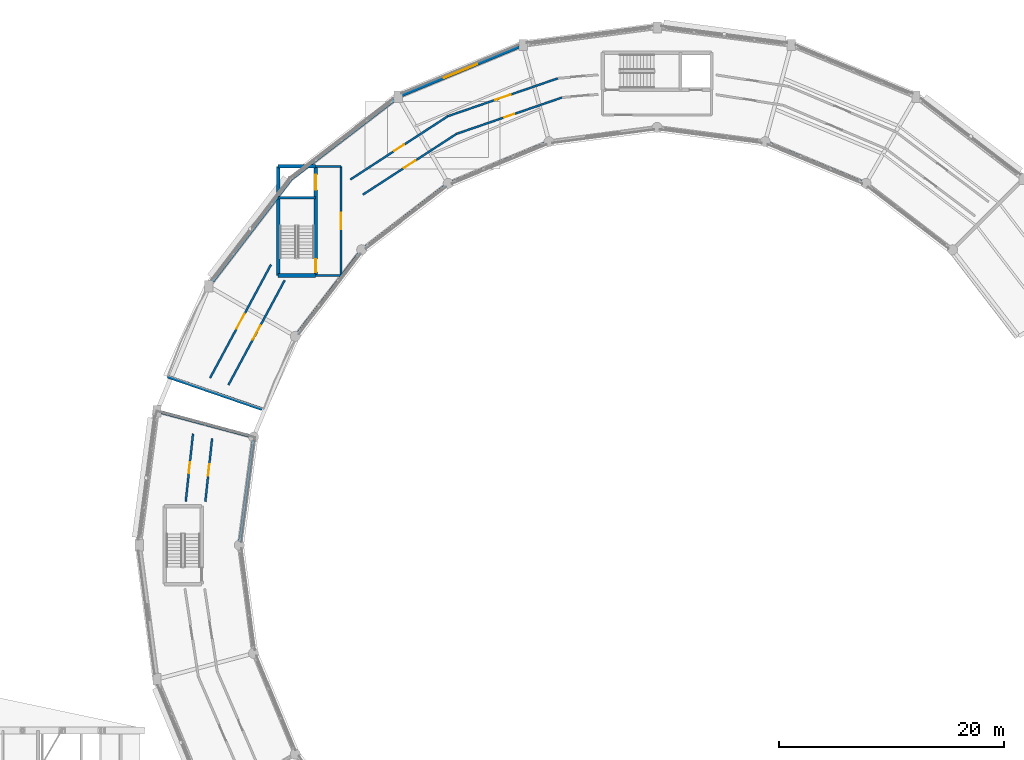
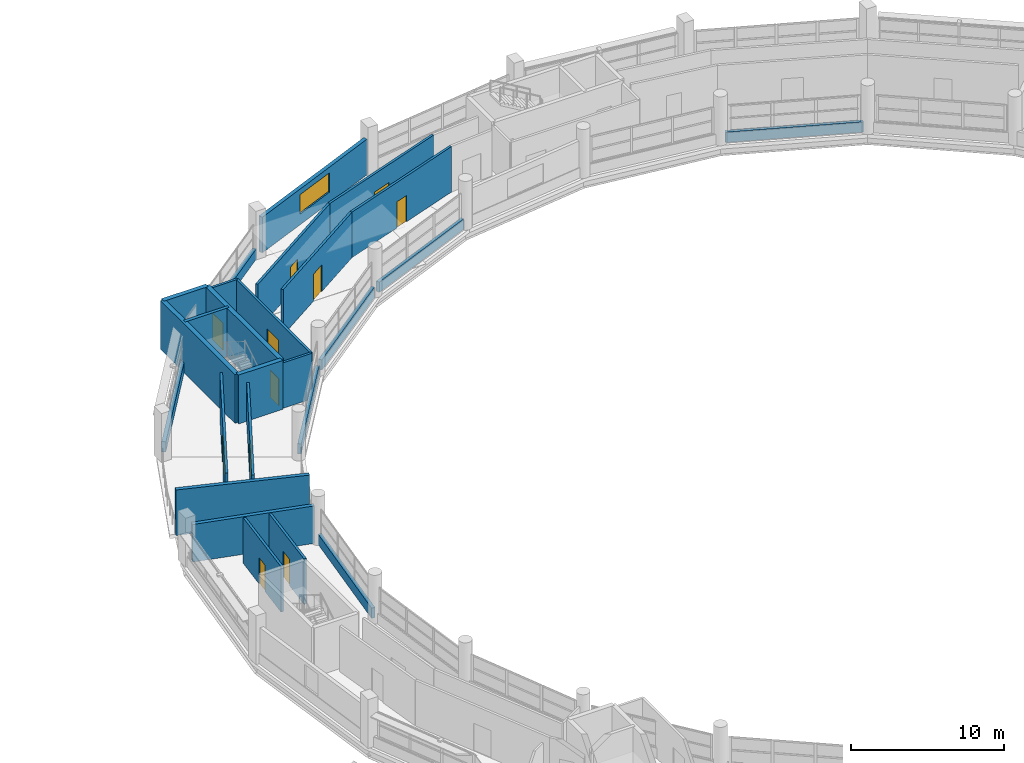
# One storey, part 77 of 88: 26 walls, 11 doors, 1 window, 12 openings.
"""IFC4 building model written with IfcOpenShell, lengths in metres."""

import ifcopenshell
import ifcopenshell.guid

model = None  # the IFC model being written
_history = None  # IfcOwnerHistory: only IFC2X3 demands one
_inside = {}  # id of a spatial element -> (the spatial element, [elements in it])
_under = {}  # id of a project, library or spatial element -> (it, [spatial elements below it])
_declared = {}  # id of a project -> (the project, [libraries it declares])
_typed = {}  # id of a type object -> (the type object, [elements of that type])
_made_of = {}  # id of a material, layer set ... -> (it, [elements and type objects made of it])


def new_model(schema):
    """Start an empty IFC model of exactly this schema.

    Asked for "IFC4X3", IfcOpenShell would pick the latest addendum, in which some entities
    have other attributes; the version numbers below select the first issue.
    IFC2X3 requires an IfcOwnerHistory on every rooted entity: one is made here for all.
    """
    global model, _history
    if schema == "IFC4X3":
        model = ifcopenshell.file(schema_version=(4, 3, 0, 0))
    else:
        model = ifcopenshell.file(schema=schema)
    _inside.clear()
    _under.clear()
    _declared.clear()
    _typed.clear()
    _made_of.clear()
    _history = None
    if model.schema == "IFC2X3":
        org = make("IfcOrganization", Name="unknown")
        user = make(
            "IfcPersonAndOrganization",
            ThePerson=make("IfcPerson", FamilyName="unknown"),
            TheOrganization=org,
        )
        app = make(
            "IfcApplication",
            ApplicationDeveloper=org,
            Version="unknown",
            ApplicationFullName="unknown",
            ApplicationIdentifier="unknown",
        )
        _history = make(
            "IfcOwnerHistory",
            OwningUser=user,
            OwningApplication=app,
            ChangeAction="ADDED",
            CreationDate=0,
        )
    return model


def make(cls, **values):
    """One entity of the class cls with the attributes given. An attribute that is None is left unset."""
    return model.create_entity(
        cls, **{name: value for name, value in values.items() if value is not None}
    )


def rooted(cls, **values):
    """An entity with a GlobalId (a new one), such as an element, a storey or a relation."""
    return make(cls, GlobalId=ifcopenshell.guid.new(), OwnerHistory=_history, **values)


def si_unit(unit_type, name, prefix=None):
    """IfcSIUnit, for example si_unit("LENGTHUNIT", "METRE", prefix="MILLI")."""
    return make("IfcSIUnit", UnitType=unit_type, Prefix=prefix, Name=name)


def assignment(units):
    """IfcUnitAssignment: the units of a project."""
    return None if units is None else make("IfcUnitAssignment", Units=units)


def point(xyz):
    """IfcCartesianPoint."""
    return None if xyz is None else make("IfcCartesianPoint", Coordinates=xyz)


def direction(xyz):
    """IfcDirection."""
    return None if xyz is None else make("IfcDirection", DirectionRatios=xyz)


def frame(location, z_axis=None, x_axis=None):
    """IfcAxis2Placement3D, a coordinate frame: its origin and axes. An axis left out is left unset."""
    return make(
        "IfcAxis2Placement3D",
        Location=point(location),
        Axis=direction(z_axis),
        RefDirection=direction(x_axis),
    )


def frame_2d(location, x_axis=None):
    """IfcAxis2Placement2D, a coordinate frame in the plane: its origin and x axis."""
    return make(
        "IfcAxis2Placement2D", Location=point(location), RefDirection=direction(x_axis)
    )


def origin():
    """The frame at (0, 0, 0) with its axes left unset."""
    return frame((0.0, 0.0, 0.0))


def place(relative_to, where):
    """IfcLocalPlacement: puts the frame where relative to a parent placement (None: the world)."""
    return make(
        "IfcLocalPlacement", PlacementRelTo=relative_to, RelativePlacement=where
    )


def context(
    kind, dimensions, precision=None, world=None, true_north=None, identifier=None
):
    """IfcGeometricRepresentationContext, for example the 3D "Model" context."""
    return make(
        "IfcGeometricRepresentationContext",
        ContextIdentifier=identifier,
        ContextType=kind,
        CoordinateSpaceDimension=dimensions,
        Precision=precision,
        WorldCoordinateSystem=world,
        TrueNorth=true_north,
    )


def subcontext(parent, identifier, kind, view, scale=None):
    """IfcGeometricRepresentationSubContext, for example "Body" below "Model"."""
    return make(
        "IfcGeometricRepresentationSubContext",
        ContextIdentifier=identifier,
        ContextType=kind,
        ParentContext=parent,
        TargetScale=scale,
        TargetView=view,
    )


def project(units=None, contexts=None):
    """IfcProject with its units and contexts."""
    return rooted(
        "IfcProject",
        Name="project",
        RepresentationContexts=contexts,
        UnitsInContext=assignment(units),
    )


def spatial(cls, under=None, at=None, **own):
    """A site, building, storey or space (cls), placed at a placement, below another one or the project."""
    s = rooted(cls, ObjectPlacement=at, **own)
    if under is not None:
        _under.setdefault(under.id(), (under, []))[1].append(s)
    return s


def profile(cls, at=None, kind="AREA", **sizes):
    """A parametric profile (cls). Its sizes go by their IFC names, for example OverallWidth=200.0."""
    return make(cls, ProfileType=kind, Position=at, **sizes)


def rectangle(**sizes):
    """IfcRectangleProfileDef."""
    return profile("IfcRectangleProfileDef", **sizes)


def extrude(swept, where, along, depth):
    """IfcExtrudedAreaSolid: the profile swept, set in the frame where, extruded along a direction by depth."""
    return make(
        "IfcExtrudedAreaSolid",
        SweptArea=swept,
        Position=where,
        ExtrudedDirection=direction(along),
        Depth=depth,
    )


def shape(context_of_items, identifier, shape_type, items):
    """IfcShapeRepresentation: the items that make up one representation, for example the "Body"."""
    return make(
        "IfcShapeRepresentation",
        ContextOfItems=context_of_items,
        RepresentationIdentifier=identifier,
        RepresentationType=shape_type,
        Items=items,
    )


def material(Name=None, Category=None):
    """IfcMaterial."""
    return make("IfcMaterial", Name=Name, Category=Category)


def layer(
    of_material, thickness, ventilated=None, Name=None, Category=None, Priority=None
):
    """IfcMaterialLayer: one layer of a wall or slab, of a material (None: an air gap)."""
    return make(
        "IfcMaterialLayer",
        Material=of_material,
        LayerThickness=thickness,
        IsVentilated=ventilated,
        Name=Name,
        Category=Category,
        Priority=Priority,
    )


def layer_set(layers, Name=None):
    """IfcMaterialLayerSet."""
    return make("IfcMaterialLayerSet", MaterialLayers=layers, LayerSetName=Name)


def made_of(thing, what):
    """Note that an element or type object is made of a material, layer set ...; save() writes the relation."""
    if what is not None:
        _made_of.setdefault(what.id(), (what, []))[1].append(thing)
    return thing


def type_object(cls, material=None, **own):
    """A type object (cls), such as IfcWallType, which elements share."""
    return made_of(rooted(cls, **own), material)


def element(
    cls,
    number,
    at=None,
    inside=None,
    cuts=None,
    type_object=None,
    material=None,
    context=None,
    identifier="Body",
    shape_type=None,
    held_by="IfcProductDefinitionShape",
    body=None,
    shapes=None,
    **own,
):
    """One element of the class cls, such as IfcWall. Its Tag is "e" and its number.

    at: its placement. inside: the storey or other place that contains it. cuts: it is an
    opening in that element (IfcRelVoidsElement). A single representation is given by context,
    identifier, shape_type and body (its items); several are given by shapes. held_by: the class
    of the entity that holds the representations. save() writes the other relations.
    """
    e = rooted(cls, Tag="e%d" % number, ObjectPlacement=at, **own)
    if body is not None:
        shapes = [shape(context, identifier, shape_type, body)]
    if shapes is not None:
        e.Representation = make(held_by, Representations=shapes)
    if inside is not None:
        _inside.setdefault(inside.id(), (inside, []))[1].append(e)
    if cuts is not None:
        rooted(
            "IfcRelVoidsElement", RelatingBuildingElement=cuts, RelatedOpeningElement=e
        )
    if type_object is not None:
        _typed.setdefault(type_object.id(), (type_object, []))[1].append(e)
    return made_of(e, material)


def fill(opening, filler):
    """IfcRelFillsElement: the door or window that sits in an opening."""
    return rooted(
        "IfcRelFillsElement",
        RelatingOpeningElement=opening,
        RelatedBuildingElement=filler,
    )


def aggregate(whole, parts):
    """IfcRelAggregates: a whole, such as a stair, and the parts it consists of."""
    return rooted("IfcRelAggregates", RelatingObject=whole, RelatedObjects=parts)


def save(model, path):
    """Write the relations noted so far, then the file.

    IfcRelAggregates (storeys below a building ...), IfcRelContainedInSpatialStructure (elements
    in a storey), IfcRelDefinesByType, IfcRelAssociatesMaterial and IfcRelDeclares: one each for
    every whole, place, type object, material and project.
    """
    for whole, parts in _under.values():
        aggregate(whole, parts)
    for where, things in _inside.values():
        rooted(
            "IfcRelContainedInSpatialStructure",
            RelatedElements=things,
            RelatingStructure=where,
        )
    for kind, things in _typed.values():
        rooted("IfcRelDefinesByType", RelatedObjects=things, RelatingType=kind)
    for what, things in _made_of.values():
        rooted("IfcRelAssociatesMaterial", RelatedObjects=things, RelatingMaterial=what)
    for by, libraries in _declared.values():
        rooted("IfcRelDeclares", RelatingContext=by, RelatedDefinitions=libraries)
    model.write(path)


model = new_model("IFC4")

# Units and contexts
model_context = context("Model", 3, precision=1e-05, world=origin(), true_north=direction((0.0, 1.0)))
body_context = subcontext(model_context, "Body", "Model", "MODEL_VIEW")
ifc_project = project(units=[si_unit("LENGTHUNIT", "METRE"), si_unit("AREAUNIT", "SQUARE_METRE"), si_unit("VOLUMEUNIT", "CUBIC_METRE"), si_unit("PLANEANGLEUNIT", "RADIAN"), si_unit("MASSUNIT", "GRAM", prefix="KILO")], contexts=[model_context])

# Site, building, storey
site_placement = place(None, origin())
site = spatial("IfcSite", under=ifc_project, at=site_placement, CompositionType="ELEMENT")
building_placement = place(site_placement, origin())
building = spatial("IfcBuilding", under=site, at=building_placement, Name="Vespera Passage Community Centre", CompositionType="ELEMENT")
storey_placement = place(building_placement, frame((0.0, 0.0, 16.5)))
storey = spatial("IfcBuildingStorey", under=building, at=storey_placement, Name="L04", CompositionType="ELEMENT", Elevation=16.5)

# Wall, openings, doors
ifc_material_1 = material(Name="Concrete f'c 45 MPa", Category="concrete")
ifc_layer_1 = layer(ifc_material_1, 0.340087890625)
ifc_layer_set_1 = layer_set([ifc_layer_1], Name="Concrete f'c 45 MPa")
wall_type_1 = type_object("IfcWallType", Name="WT-CORE-340I", PredefinedType="SHEAR", material=ifc_layer_set_1)
wall_1_placement = place(storey_placement, frame((47.60302734375, 99.238037109375, 0.0), z_axis=(0.0, 0.0, 1.0), x_axis=(0.0, -1.0, 0.0)))
wall_1 = element("IfcWall", 1, at=wall_1_placement, inside=storey, type_object=wall_type_1, Name="Core C1 L04 Shear Wall FRONT", PredefinedType="SHEAR", context=body_context, shape_type="SweptSolid", body=[
    extrude(rectangle(XDim=9.72998046875, YDim=0.340087890625, at=frame_2d((4.864990234375, 0.0))), origin(), (0.0, 0.0, 1.0), 3.89990234375),
])
opening_1_placement = place(wall_1_placement, frame((8.264892578125, 0.0, 0.0)))
opening_1 = element("IfcOpeningElement", 2, at=opening_1_placement, cuts=wall_1, Name="Opening DT-STAIR-90", PredefinedType="OPENING", context=body_context, shape_type="SweptSolid", body=[
    extrude(rectangle(XDim=1.14990234375, YDim=2.14990234375, at=frame_2d((0.574951171875, 1.074951171875))), frame((0.0, 0.179931640625, 0.0), z_axis=(0.0, -1.0, 0.0), x_axis=(1.0, 0.0, 0.0)), (0.0, 0.0, 1.0), 0.360107421875),
])
opening_2_placement = place(wall_1_placement, frame((0.7451171875, 0.0, 0.0)))
opening_2 = element("IfcOpeningElement", 3, at=opening_2_placement, cuts=wall_1, Name="Opening DT-LIFT-135", PredefinedType="OPENING", context=body_context, shape_type="SweptSolid", body=[
    extrude(rectangle(XDim=1.35009765625, YDim=2.14990234375, at=frame_2d((0.675048828125, 1.074951171875))), frame((0.0, 0.179931640625, 0.0), z_axis=(0.0, -1.0, 0.0), x_axis=(1.0, 0.0, 0.0)), (0.0, 0.0, 1.0), 0.360107421875),
])
ifc_material_2 = material(Name="Painted hollow-metal acoustic door", Category="steel")
door_type_1 = type_object("IfcDoorType", Name="DT-LIFT-135", OperationType="NOTDEFINED", PredefinedType="DOOR", material=ifc_material_2)
door_1_placement = place(opening_2_placement, origin())
door_1 = element("IfcDoor", 4, at=door_1_placement, inside=storey, type_object=door_type_1, Name="Elevator EL-03 L04 Landing Door LD-006", OperationType="SLIDING_TO_LEFT", OverallHeight=2.14990234375, OverallWidth=1.35009765625, PredefinedType="DOOR", context=body_context, shape_type="SweptSolid", body=[
    extrude(rectangle(XDim=1.35009765625, YDim=2.14990234375, at=frame_2d((0.675048828125, 1.074951171875))), frame((0.0, 0.02490234375, 0.0), z_axis=(0.0, -1.0, 0.0), x_axis=(1.0, 0.0, 0.0)), (0.0, 0.0, 1.0), 0.050048828125),
])
fill(opening_2, door_1)
ifc_material_3 = material(Name="Painted hollow-metal acoustic door", Category="steel")
door_type_2 = type_object("IfcDoorType", Name="DT-STAIR-90", OperationType="NOTDEFINED", PredefinedType="DOOR", material=ifc_material_3)
door_2_placement = place(opening_1_placement, origin())
door_2 = element("IfcDoor", 5, at=door_2_placement, inside=storey, type_object=door_type_2, Name="Core C1 L04 Exit Stair Door D-058", OperationType="SINGLE_SWING_RIGHT", OverallHeight=2.14990234375, OverallWidth=1.14990234375, PredefinedType="DOOR", context=body_context, shape_type="SweptSolid", body=[
    extrude(rectangle(XDim=1.14990234375, YDim=2.14990234375, at=frame_2d((0.574951171875, 1.074951171875))), frame((0.0, 0.02490234375, 0.0), z_axis=(0.0, -1.0, 0.0), x_axis=(1.0, 0.0, 0.0)), (0.0, 0.0, 1.0), 0.050048828125),
])
fill(opening_1, door_2)

# Walls
wall_2_placement = place(storey_placement, frame((47.60302734375, 89.508056640625, 0.0), z_axis=(0.0, 0.0, 1.0), x_axis=(-1.0, 0.0, 0.0)))
element("IfcWall", 6, at=wall_2_placement, inside=storey, type_object=wall_type_1, Name="Core C1 L04 Shear Wall LEFT", PredefinedType="SHEAR", context=body_context, shape_type="SweptSolid", body=[
    extrude(rectangle(XDim=3.340087890625, YDim=0.340087890625, at=frame_2d((1.669921875, 0.0))), origin(), (0.0, 0.0, 1.0), 3.89990234375),
])
wall_3_placement = place(storey_placement, frame((44.262939453125, 89.508056640625, 0.0), z_axis=(0.0, 0.0, 1.0), x_axis=(0.0, 1.0, 0.0)))
element("IfcWall", 7, at=wall_3_placement, inside=storey, type_object=wall_type_1, Name="Core C1 L04 Shear Wall BACK", PredefinedType="SHEAR", context=body_context, shape_type="SweptSolid", body=[
    extrude(rectangle(XDim=9.72998046875, YDim=0.340087890625, at=frame_2d((4.864990234375, 0.0))), origin(), (0.0, 0.0, 1.0), 3.89990234375),
])
wall_4_placement = place(storey_placement, frame((44.262939453125, 99.238037109375, 0.0), z_axis=(0.0, 0.0, 1.0), x_axis=(1.0, 0.0, 0.0)))
element("IfcWall", 8, at=wall_4_placement, inside=storey, type_object=wall_type_1, Name="Core C1 L04 Shear Wall RIGHT", PredefinedType="SHEAR", context=body_context, shape_type="SweptSolid", body=[
    extrude(rectangle(XDim=3.340087890625, YDim=0.340087890625, at=frame_2d((1.669921875, 0.0))), origin(), (0.0, 0.0, 1.0), 3.89990234375),
])

# Wall, opening, door
ifc_material_4 = material(Name="Gypsum board acoustic stud partition")
ifc_layer_2 = layer(ifc_material_4, 0.179931640625)
ifc_layer_set_2 = layer_set([ifc_layer_2], Name="Gypsum board acoustic stud partition")
wall_type_2 = type_object("IfcWallType", Name="WT-CORR-180I", PredefinedType="PARTITIONING", material=ifc_layer_set_2)
wall_5_placement = place(storey_placement, frame((49.85302734375, 89.508056640625, 0.0), z_axis=(0.0, 0.0, 1.0), x_axis=(0.0, 1.0, 0.0)))
wall_5 = element("IfcWall", 9, at=wall_5_placement, inside=storey, type_object=wall_type_2, Name="Core C1 L04 Lift Lobby Front Wall", PredefinedType="PARTITIONING", context=body_context, shape_type="SweptSolid", body=[
    extrude(rectangle(XDim=9.72998046875, YDim=0.179931640625, at=frame_2d((4.864990234375, 0.0))), origin(), (0.0, 0.0, 1.0), 3.635009765625),
])
opening_3_placement = place(wall_5_placement, frame((4.114990234375, 0.0, 0.0)))
opening_3 = element("IfcOpeningElement", 10, at=opening_3_placement, cuts=wall_5, Name="Opening DT-CORR-150", PredefinedType="OPENING", context=body_context, shape_type="SweptSolid", body=[
    extrude(rectangle(XDim=1.5, YDim=2.14990234375, at=frame_2d((0.75, 1.074951171875))), frame((0.0, 0.099853515625, 0.0), z_axis=(0.0, -1.0, 0.0), x_axis=(1.0, 0.0, 0.0)), (0.0, 0.0, 1.0), 0.199951171875),
])
ifc_material_5 = material(Name="Painted hollow-metal acoustic door", Category="steel")
door_type_3 = type_object("IfcDoorType", Name="DT-CORR-150", OperationType="NOTDEFINED", PredefinedType="DOOR", material=ifc_material_5)
door_3_placement = place(opening_3_placement, origin())
door_3 = element("IfcDoor", 11, at=door_3_placement, inside=storey, type_object=door_type_3, Name="Core C1 L04 Lift Lobby Door D-059", OperationType="SINGLE_SWING_LEFT", OverallHeight=2.14990234375, OverallWidth=1.5, PredefinedType="DOOR", context=body_context, shape_type="SweptSolid", body=[
    extrude(rectangle(XDim=1.5, YDim=2.14990234375, at=frame_2d((0.75, 1.074951171875))), frame((0.0, 0.02490234375, 0.0), z_axis=(0.0, -1.0, 0.0), x_axis=(1.0, 0.0, 0.0)), (0.0, 0.0, 1.0), 0.050048828125),
])
fill(opening_3, door_3)

# Walls
for number, where, z_axis, x_axis, name in (
    (12, (47.60302734375, 89.508056640625, 0.0), (0.0, 0.0, 1.0), (1.0, 0.0, 0.0), "Core C1 L04 Lift Lobby Side Wall L"),
    (13, (47.60302734375, 99.238037109375, 0.0), (0.0, 0.0, 1.0), (1.0, 0.0, 0.0), "Core C1 L04 Lift Lobby Side Wall R"),
):
    element("IfcWall", number, at=place(storey_placement, frame(where, z_axis=z_axis, x_axis=x_axis)), inside=storey, type_object=wall_type_2, Name=name, PredefinedType="PARTITIONING", context=body_context, shape_type="SweptSolid", body=[
        extrude(rectangle(XDim=2.25, YDim=0.179931640625, at=frame_2d((1.125, 0.0))), origin(), (0.0, 0.0, 1.0), 3.635009765625),
    ])

# Wall, opening, door
wall_6_placement = place(storey_placement, frame((69.163818359375, 107.0712890625, 0.0), z_axis=(0.0, 0.0, 1.0), x_axis=(-0.945519152491, -0.325566479038, 0.0)))
wall_6 = element("IfcWall", 14, at=wall_6_placement, inside=storey, type_object=wall_type_2, Name="L04 Interior Partition V4-L04-CO05.1", PredefinedType="PARTITIONING", context=body_context, shape_type="SweptSolid", body=[
    extrude(rectangle(XDim=10.359130859375, YDim=0.179931640625, at=frame_2d((5.1796875, 0.0))), origin(), (0.0, 0.0, 1.0), 3.635009765625),
])
opening_4_placement = place(wall_6_placement, frame((4.45458984375, 0.0, 0.0)))
opening_4 = element("IfcOpeningElement", 15, at=opening_4_placement, cuts=wall_6, Name="Opening DT-PLANT-145", PredefinedType="OPENING", context=body_context, shape_type="SweptSolid", body=[
    extrude(rectangle(XDim=1.449951171875, YDim=2.199951171875, at=frame_2d((0.72509765625, 1.10009765625))), frame((0.0, 0.099853515625, 0.0), z_axis=(0.0, -1.0, 0.0), x_axis=(1.0, 0.0, 0.0)), (0.0, 0.0, 1.0), 0.199951171875),
])
ifc_material_6 = material(Name="Painted hollow-metal acoustic door", Category="steel")
door_type_4 = type_object("IfcDoorType", Name="DT-PLANT-145", OperationType="NOTDEFINED", PredefinedType="DOOR", material=ifc_material_6)
door_4_placement = place(opening_4_placement, origin())
door_4 = element("IfcDoor", 16, at=door_4_placement, inside=storey, type_object=door_type_4, Name="L04 Interior Door D-271", OperationType="SINGLE_SWING_LEFT", OverallHeight=2.199951171875, OverallWidth=1.449951171875, PredefinedType="DOOR", context=body_context, shape_type="SweptSolid", body=[
    extrude(rectangle(XDim=1.449951171875, YDim=2.199951171875, at=frame_2d((0.72509765625, 1.10009765625))), frame((0.0, 0.02490234375, 0.0), z_axis=(0.0, -1.0, 0.0), x_axis=(1.0, 0.0, 0.0)), (0.0, 0.0, 1.0), 0.050048828125),
])
fill(opening_4, door_4)

wall_7_placement = place(storey_placement, frame((69.527587890625, 105.359619140625, 0.0), z_axis=(0.0, 0.0, 1.0), x_axis=(-0.945517864124, -0.325570220723, 0.0)))
wall_7 = element("IfcWall", 17, at=wall_7_placement, inside=storey, type_object=wall_type_2, Name="L04 Interior Partition V4-L04-CI05.1", PredefinedType="PARTITIONING", context=body_context, shape_type="SweptSolid", body=[
    extrude(rectangle(XDim=9.93212890625, YDim=0.179931640625, at=frame_2d((4.966064453125, 0.0))), origin(), (0.0, 0.0, 1.0), 3.635009765625),
])
opening_5_placement = place(wall_7_placement, frame((4.4912109375, 0.0, 0.0)))
opening_5 = element("IfcOpeningElement", 18, at=opening_5_placement, cuts=wall_7, Name="Opening DT-CORR-95", PredefinedType="OPENING", context=body_context, shape_type="SweptSolid", body=[
    extrude(rectangle(XDim=0.949951171875, YDim=2.10009765625, at=frame_2d((0.47509765625, 1.050048828125))), frame((0.0, 0.099853515625, 0.0), z_axis=(0.0, -1.0, 0.0), x_axis=(1.0, 0.0, 0.0)), (0.0, 0.0, 1.0), 0.199951171875),
])
ifc_material_7 = material(Name="Painted hollow-metal acoustic door", Category="steel")
door_type_5 = type_object("IfcDoorType", Name="DT-CORR-95", OperationType="NOTDEFINED", PredefinedType="DOOR", material=ifc_material_7)
door_5_placement = place(opening_5_placement, origin())
door_5 = element("IfcDoor", 19, at=door_5_placement, inside=storey, type_object=door_type_5, Name="L04 Interior Door D-272", OperationType="SINGLE_SWING_RIGHT", OverallHeight=2.10009765625, OverallWidth=0.949951171875, PredefinedType="DOOR", context=body_context, shape_type="SweptSolid", body=[
    extrude(rectangle(XDim=0.949951171875, YDim=2.10009765625, at=frame_2d((0.47509765625, 1.050048828125))), frame((0.0, 0.02490234375, 0.0), z_axis=(0.0, -1.0, 0.0), x_axis=(1.0, 0.0, 0.0)), (0.0, 0.0, 1.0), 0.050048828125),
])
fill(opening_5, door_5)

wall_8_placement = place(storey_placement, frame((59.369140625, 103.69873046875, 0.0), z_axis=(0.0, 0.0, 1.0), x_axis=(-0.838672389469, -0.544636230104, 0.0)))
wall_8 = element("IfcWall", 20, at=wall_8_placement, inside=storey, type_object=wall_type_2, Name="L04 Interior Partition V4-L04-CO06.1", PredefinedType="PARTITIONING", context=body_context, shape_type="SweptSolid", body=[
    extrude(rectangle(XDim=10.35888671875, YDim=0.179931640625, at=frame_2d((5.179443359375, 0.0))), origin(), (0.0, 0.0, 1.0), 3.635009765625),
])
opening_6_placement = place(wall_8_placement, frame((4.654296875, 0.0, 0.0)))
opening_6 = element("IfcOpeningElement", 21, at=opening_6_placement, cuts=wall_8, Name="Opening DT-CORR-105", PredefinedType="OPENING", context=body_context, shape_type="SweptSolid", body=[
    extrude(rectangle(XDim=1.050048828125, YDim=2.10009765625, at=frame_2d((0.52490234375, 1.050048828125))), frame((0.0, 0.099853515625, 0.0), z_axis=(0.0, -1.0, 0.0), x_axis=(1.0, 0.0, 0.0)), (0.0, 0.0, 1.0), 0.199951171875),
])
ifc_material_8 = material(Name="Painted hollow-metal acoustic door", Category="steel")
door_type_6 = type_object("IfcDoorType", Name="DT-CORR-105", OperationType="NOTDEFINED", PredefinedType="DOOR", material=ifc_material_8)
door_6_placement = place(opening_6_placement, origin())
door_6 = element("IfcDoor", 22, at=door_6_placement, inside=storey, type_object=door_type_6, Name="L04 Interior Door D-273", OperationType="SINGLE_SWING_LEFT", OverallHeight=2.10009765625, OverallWidth=1.050048828125, PredefinedType="DOOR", context=body_context, shape_type="SweptSolid", body=[
    extrude(rectangle(XDim=1.050048828125, YDim=2.10009765625, at=frame_2d((0.52490234375, 1.050048828125))), frame((0.0, 0.02490234375, 0.0), z_axis=(0.0, -1.0, 0.0), x_axis=(1.0, 0.0, 0.0)), (0.0, 0.0, 1.0), 0.050048828125),
])
fill(opening_6, door_6)

wall_9_placement = place(storey_placement, frame((60.136474609375, 102.1259765625, 0.0), z_axis=(0.0, 0.0, 1.0), x_axis=(-0.838668177387, -0.544642716135, 0.0)))
wall_9 = element("IfcWall", 23, at=wall_9_placement, inside=storey, type_object=wall_type_2, Name="L04 Interior Partition V4-L04-CI06.1", PredefinedType="PARTITIONING", context=body_context, shape_type="SweptSolid", body=[
    extrude(rectangle(XDim=9.9326171875, YDim=0.179931640625, at=frame_2d((4.96630859375, 0.0))), origin(), (0.0, 0.0, 1.0), 3.635009765625),
])
opening_7_placement = place(wall_9_placement, frame((4.3662109375, 0.0, 0.0)))
opening_7 = element("IfcOpeningElement", 24, at=opening_7_placement, cuts=wall_9, Name="Opening DT-CORR-120", PredefinedType="OPENING", context=body_context, shape_type="SweptSolid", body=[
    extrude(rectangle(XDim=1.199951171875, YDim=2.14990234375, at=frame_2d((0.60009765625, 1.074951171875))), frame((0.0, 0.099853515625, 0.0), z_axis=(0.0, -1.0, 0.0), x_axis=(1.0, 0.0, 0.0)), (0.0, 0.0, 1.0), 0.199951171875),
])
ifc_material_9 = material(Name="Painted hollow-metal acoustic door", Category="steel")
door_type_7 = type_object("IfcDoorType", Name="DT-CORR-120", OperationType="NOTDEFINED", PredefinedType="DOOR", material=ifc_material_9)
door_7_placement = place(opening_7_placement, origin())
door_7 = element("IfcDoor", 25, at=door_7_placement, inside=storey, type_object=door_type_7, Name="L04 Interior Door D-274", OperationType="SINGLE_SWING_RIGHT", OverallHeight=2.14990234375, OverallWidth=1.199951171875, PredefinedType="DOOR", context=body_context, shape_type="SweptSolid", body=[
    extrude(rectangle(XDim=1.199951171875, YDim=2.14990234375, at=frame_2d((0.60009765625, 1.074951171875))), frame((0.0, 0.02490234375, 0.0), z_axis=(0.0, -1.0, 0.0), x_axis=(1.0, 0.0, 0.0)), (0.0, 0.0, 1.0), 0.050048828125),
])
fill(opening_7, door_7)

wall_10_placement = place(storey_placement, frame((43.61669921875, 90.48095703125, 0.0), z_axis=(0.0, 0.0, 1.0), x_axis=(-0.473312147023, -0.880894778893, 0.0)))
wall_10 = element("IfcWall", 26, at=wall_10_placement, inside=storey, type_object=wall_type_2, Name="L04 Interior Partition V4-L04-CO07.1", PredefinedType="PARTITIONING", context=body_context, shape_type="SweptSolid", body=[
    extrude(rectangle(XDim=11.46240234375, YDim=0.179931640625, at=frame_2d((5.731201171875, 0.0))), origin(), (0.0, 0.0, 1.0), 3.635009765625),
])
opening_8_placement = place(wall_10_placement, frame((4.981201171875, 0.0, 0.0)))
opening_8 = element("IfcOpeningElement", 27, at=opening_8_placement, cuts=wall_10, Name="Opening DT-CORR-150", PredefinedType="OPENING", context=body_context, shape_type="SweptSolid", body=[
    extrude(rectangle(XDim=1.5, YDim=2.14990234375, at=frame_2d((0.75, 1.074951171875))), frame((0.0, 0.099853515625, 0.0), z_axis=(0.0, -1.0, 0.0), x_axis=(1.0, 0.0, 0.0)), (0.0, 0.0, 1.0), 0.199951171875),
])
door_8_placement = place(opening_8_placement, origin())
door_8 = element("IfcDoor", 28, at=door_8_placement, inside=storey, type_object=door_type_3, Name="L04 Interior Door D-275", OperationType="SINGLE_SWING_LEFT", OverallHeight=2.14990234375, OverallWidth=1.5, PredefinedType="DOOR", context=body_context, shape_type="SweptSolid", body=[
    extrude(rectangle(XDim=1.5, YDim=2.14990234375, at=frame_2d((0.75, 1.074951171875))), frame((0.0, 0.02490234375, 0.0), z_axis=(0.0, -1.0, 0.0), x_axis=(1.0, 0.0, 0.0)), (0.0, 0.0, 1.0), 0.050048828125),
])
fill(opening_8, door_8)

wall_11_placement = place(storey_placement, frame((44.8369140625, 89.087890625, 0.0), z_axis=(0.0, 0.0, 1.0), x_axis=(-0.47333431402, -0.88088286802, 0.0)))
wall_11 = element("IfcWall", 29, at=wall_11_placement, inside=storey, type_object=wall_type_2, Name="L04 Interior Partition V4-L04-CI07.1", PredefinedType="PARTITIONING", context=body_context, shape_type="SweptSolid", body=[
    extrude(rectangle(XDim=10.57666015625, YDim=0.179931640625, at=frame_2d((5.288330078125, 0.0))), origin(), (0.0, 0.0, 1.0), 3.2744140625),
])
opening_9_placement = place(wall_11_placement, frame((4.5634765625, 0.0, 0.0)))
opening_9 = element("IfcOpeningElement", 30, at=opening_9_placement, cuts=wall_11, Name="Opening DT-PLANT-145", PredefinedType="OPENING", context=body_context, shape_type="SweptSolid", body=[
    extrude(rectangle(XDim=1.449951171875, YDim=2.199951171875, at=frame_2d((0.72509765625, 1.10009765625))), frame((0.0, 0.099853515625, 0.0), z_axis=(0.0, -1.0, 0.0), x_axis=(1.0, 0.0, 0.0)), (0.0, 0.0, 1.0), 0.199951171875),
])
door_9_placement = place(opening_9_placement, origin())
door_9 = element("IfcDoor", 31, at=door_9_placement, inside=storey, type_object=door_type_4, Name="L04 Interior Door D-276", OperationType="SINGLE_SWING_RIGHT", OverallHeight=2.199951171875, OverallWidth=1.449951171875, PredefinedType="DOOR", context=body_context, shape_type="SweptSolid", body=[
    extrude(rectangle(XDim=1.449951171875, YDim=2.199951171875, at=frame_2d((0.72509765625, 1.10009765625))), frame((0.0, 0.02490234375, 0.0), z_axis=(0.0, -1.0, 0.0), x_axis=(1.0, 0.0, 0.0)), (0.0, 0.0, 1.0), 0.050048828125),
])
fill(opening_9, door_9)

wall_12_placement = place(storey_placement, frame((36.67431640625, 75.42138671875, 0.0), z_axis=(0.0, 0.0, 1.0), x_axis=(-0.106711734721, -0.994290000791, 0.0)))
wall_12 = element("IfcWall", 32, at=wall_12_placement, inside=storey, type_object=wall_type_2, Name="L04 Interior Partition V4-L04-CO08.1", PredefinedType="PARTITIONING", context=body_context, shape_type="SweptSolid", body=[
    extrude(rectangle(XDim=6.0810546875, YDim=0.179931640625, at=frame_2d((3.04052734375, 0.0))), origin(), (0.0, 0.0, 1.0), 3.635009765625),
])
opening_10_placement = place(wall_12_placement, frame((2.565673828125, 0.0, 0.0)))
opening_10 = element("IfcOpeningElement", 33, at=opening_10_placement, cuts=wall_12, Name="Opening DT-CORR-95", PredefinedType="OPENING", context=body_context, shape_type="SweptSolid", body=[
    extrude(rectangle(XDim=0.949951171875, YDim=2.10009765625, at=frame_2d((0.47509765625, 1.050048828125))), frame((0.0, 0.099853515625, 0.0), z_axis=(0.0, -1.0, 0.0), x_axis=(1.0, 0.0, 0.0)), (0.0, 0.0, 1.0), 0.199951171875),
])
door_10_placement = place(opening_10_placement, origin())
door_10 = element("IfcDoor", 34, at=door_10_placement, inside=storey, type_object=door_type_5, Name="L04 Interior Door D-277", OperationType="SINGLE_SWING_LEFT", OverallHeight=2.10009765625, OverallWidth=0.949951171875, PredefinedType="DOOR", context=body_context, shape_type="SweptSolid", body=[
    extrude(rectangle(XDim=0.949951171875, YDim=2.10009765625, at=frame_2d((0.47509765625, 1.050048828125))), frame((0.0, 0.02490234375, 0.0), z_axis=(0.0, -1.0, 0.0), x_axis=(1.0, 0.0, 0.0)), (0.0, 0.0, 1.0), 0.050048828125),
])
fill(opening_10, door_10)

wall_13_placement = place(storey_placement, frame((38.3759765625, 75.012939453125, 0.0), z_axis=(0.0, 0.0, 1.0), x_axis=(-0.106692749775, -0.994292038159, 0.0)))
wall_13 = element("IfcWall", 35, at=wall_13_placement, inside=storey, type_object=wall_type_2, Name="L04 Interior Partition V4-L04-CI08.1", PredefinedType="PARTITIONING", context=body_context, shape_type="SweptSolid", body=[
    extrude(rectangle(XDim=5.67041015625, YDim=0.179931640625, at=frame_2d((2.835205078125, 0.0))), origin(), (0.0, 0.0, 1.0), 3.635009765625),
])
opening_11_placement = place(wall_13_placement, frame((2.31005859375, 0.0, 0.0)))
opening_11 = element("IfcOpeningElement", 36, at=opening_11_placement, cuts=wall_13, Name="Opening DT-CORR-105", PredefinedType="OPENING", context=body_context, shape_type="SweptSolid", body=[
    extrude(rectangle(XDim=1.050048828125, YDim=2.10009765625, at=frame_2d((0.52490234375, 1.050048828125))), frame((0.0, 0.099853515625, 0.0), z_axis=(0.0, -1.0, 0.0), x_axis=(1.0, 0.0, 0.0)), (0.0, 0.0, 1.0), 0.199951171875),
])
door_11_placement = place(opening_11_placement, origin())
door_11 = element("IfcDoor", 37, at=door_11_placement, inside=storey, type_object=door_type_6, Name="L04 Interior Door D-278", OperationType="SINGLE_SWING_RIGHT", OverallHeight=2.10009765625, OverallWidth=1.050048828125, PredefinedType="DOOR", context=body_context, shape_type="SweptSolid", body=[
    extrude(rectangle(XDim=1.050048828125, YDim=2.10009765625, at=frame_2d((0.52490234375, 1.050048828125))), frame((0.0, 0.02490234375, 0.0), z_axis=(0.0, -1.0, 0.0), x_axis=(1.0, 0.0, 0.0)), (0.0, 0.0, 1.0), 0.050048828125),
])
fill(opening_11, door_11)

# Walls
ifc_material_10 = material(Name="Concrete f'c 45 MPa", Category="concrete")
ifc_layer_3 = layer(ifc_material_10, 0.239990234375)
ifc_layer_set_3 = layer_set([ifc_layer_3], Name="Concrete f'c 45 MPa")
wall_type_3 = type_object("IfcWallType", Name="WT-DIV-240I", PredefinedType="SHEAR", material=ifc_layer_set_3)
wall_14_placement = place(storey_placement, frame((47.60302734375, 96.447998046875, 0.0), z_axis=(0.0, 0.0, 1.0), x_axis=(-1.0, 0.0, 0.0)))
element("IfcWall", 38, at=wall_14_placement, inside=storey, type_object=wall_type_3, Name="Core C1 L04 Hoistway Divider Wall", PredefinedType="SHEAR", context=body_context, shape_type="SweptSolid", body=[
    extrude(rectangle(XDim=3.340087890625, YDim=0.239990234375, at=frame_2d((1.669921875, 0.0))), origin(), (0.0, 0.0, 1.0), 3.89990234375),
])
ifc_material_11 = material(Name="Precast concrete f'c 40 MPa", Category="concrete")
ifc_layer_4 = layer(ifc_material_11, 0.25)
ifc_layer_set_4 = layer_set([ifc_layer_4], Name="Precast concrete f'c 40 MPa")
wall_type_4 = type_object("IfcWallType", Name="WT-EXT-250E", PredefinedType="STANDARD", material=ifc_layer_set_4)
for number, where, z_axis, x_axis, name in (
    (39, (96.322998046875, 97.830810546875, 0.0), (0.0, 0.0, 1.0), (-0.923880324771, 0.382681519675, 0.0), "V4 L04 Court Spandrel Wall I4"),
    (40, (68.094970703125, 101.317626953125, 0.0), (0.0, 0.0, 1.0), (-0.923880324771, -0.382681519675, 0.0), "V4 L04 Court Spandrel Wall I7"),
):
    element("IfcWall", number, at=place(storey_placement, frame(where, z_axis=z_axis, x_axis=x_axis)), inside=storey, type_object=wall_type_4, Name=name, PredefinedType="STANDARD", context=body_context, shape_type="SweptSolid", body=[
        extrude(rectangle(XDim=9.111572265625, YDim=0.25, at=frame_2d((4.5556640625, 0.0))), origin(), (0.0, 0.0, 1.0), 0.820068359375),
    ])
for number, where, z_axis, x_axis, name in (
    (41, (59.119873046875, 97.501220703125, 0.0), (0.0, 0.0, 1.0), (-0.793347085527, -0.608769580289, 0.0), "V4 L04 Court Spandrel Wall I8"),
    (42, (51.480712890625, 91.524169921875, 0.0), (0.0, 0.0, 1.0), (-0.608769580289, -0.793347085527, 0.0), "V4 L04 Court Spandrel Wall I9"),
):
    element("IfcWall", number, at=place(storey_placement, frame(where, z_axis=z_axis, x_axis=x_axis)), inside=storey, type_object=wall_type_4, Name=name, PredefinedType="STANDARD", context=body_context, shape_type="SweptSolid", body=[
        extrude(rectangle(XDim=9.0048828125, YDim=0.25, at=frame_2d((4.50244140625, 0.0))), origin(), (0.0, 0.0, 1.0), 0.820068359375),
    ])
wall_15_placement = place(storey_placement, frame((42.031494140625, 74.852783203125, 0.0), z_axis=(0.0, 0.0, 1.0), x_axis=(-0.130549698469, -0.991441766434, 0.0)))
element("IfcWall", 43, at=wall_15_placement, inside=storey, type_object=wall_type_4, Name="V4 L04 Court Spandrel Wall I11", PredefinedType="STANDARD", context=body_context, shape_type="SweptSolid", body=[
    extrude(rectangle(XDim=9.156005859375, YDim=0.25, at=frame_2d((4.578125, 0.0))), origin(), (0.0, 0.0, 1.0), 0.820068359375),
])

# Wall, opening, window
ifc_material_12 = material(Name="Precast concrete f'c 40 MPa", Category="concrete")
ifc_layer_5 = layer(ifc_material_12, 0.280029296875)
ifc_layer_set_5 = layer_set([ifc_layer_5], Name="Precast concrete f'c 40 MPa")
wall_type_5 = type_object("IfcWallType", Name="WT-EXT-280E", PredefinedType="STANDARD", material=ifc_layer_set_5)
wall_16_placement = place(storey_placement, frame((55.302001953125, 105.569580078125, 0.0), z_axis=(0.0, 0.0, 1.0), x_axis=(0.923883530636, 0.382673779896, 0.0)))
wall_16 = element("IfcWall", 44, at=wall_16_placement, inside=storey, type_object=wall_type_5, Name="V4 L04 Outer Precast Wall 7", PredefinedType="STANDARD", context=body_context, shape_type="SweptSolid", body=[
    extrude(rectangle(XDim=11.2724609375, YDim=0.280029296875, at=frame_2d((5.63623046875, 0.0))), origin(), (0.0, 0.0, 1.0), 2.845703125),
])
opening_12_placement = place(wall_16_placement, frame((4.036376953125, 0.0, 0.85009765625)))
opening_12 = element("IfcOpeningElement", 45, at=opening_12_placement, cuts=wall_16, Name="Opening WN-18E", PredefinedType="OPENING", context=body_context, shape_type="SweptSolid", body=[
    extrude(rectangle(XDim=3.199951171875, YDim=1.550048828125, at=frame_2d((1.60009765625, 0.77490234375))), frame((0.0, 0.150146484375, 0.0), z_axis=(0.0, -1.0, 0.0), x_axis=(1.0, 0.0, 0.0)), (0.0, 0.0, 1.0), 0.300048828125),
])
ifc_material_13 = material(Name="Low-E insulated vision glass", Category="glass")
window_type = type_object("IfcWindowType", Name="WN-18E", PartitioningType="SINGLE_PANEL", PredefinedType="WINDOW", material=ifc_material_13)
window_placement = place(opening_12_placement, origin())
window = element("IfcWindow", 46, at=window_placement, inside=storey, type_object=window_type, Name="Window WN-V4-L04-O07", OverallHeight=1.550048828125, OverallWidth=3.199951171875, PartitioningType="SINGLE_PANEL", PredefinedType="WINDOW", context=body_context, shape_type="SweptSolid", body=[
    extrude(rectangle(XDim=3.199951171875, YDim=1.550048828125, at=frame_2d((1.60009765625, 0.77490234375))), frame((0.0, 0.030029296875, 0.0), z_axis=(0.0, -1.0, 0.0), x_axis=(1.0, 0.0, 0.0)), (0.0, 0.0, 1.0), 0.06005859375),
])
fill(opening_12, window)

# Walls
wall_17_placement = place(storey_placement, frame((45.40234375, 98.09765625, 0.0), z_axis=(0.0, 0.0, 1.0), x_axis=(0.793347191248, 0.608769442514, 0.0)))
element("IfcWall", 47, at=wall_17_placement, inside=storey, type_object=wall_type_5, Name="V4 L04 Spandrel Wall O8", PredefinedType="STANDARD", context=body_context, shape_type="SweptSolid", body=[
    extrude(rectangle(XDim=11.5869140625, YDim=0.280029296875, at=frame_2d((5.79345703125, 0.0))), origin(), (0.0, 0.0, 1.0), 0.820068359375),
])
wall_18_placement = place(storey_placement, frame((38.43603515625, 89.018798828125, 0.0), z_axis=(0.0, 0.0, 1.0), x_axis=(0.608753523874, 0.793359406052, 0.0)))
element("IfcWall", 48, at=wall_18_placement, inside=storey, type_object=wall_type_5, Name="V4 L04 Spandrel Wall O9", PredefinedType="STANDARD", context=body_context, shape_type="SweptSolid", body=[
    extrude(rectangle(XDim=11.443603515625, YDim=0.280029296875, at=frame_2d((5.7216796875, 0.0))), origin(), (0.0, 0.0, 1.0), 0.820068359375),
])
wall_19_placement = place(storey_placement, frame((42.82666015625, 77.611083984375, 0.0), z_axis=(0.0, 0.0, 1.0), x_axis=(-0.945512530801, 0.325585709298, 0.0)))
element("IfcWall", 49, at=wall_19_placement, inside=storey, type_object=wall_type_5, Name="V4 L04 Radial End Facade Wall SLOT1", PredefinedType="STANDARD", context=body_context, shape_type="SweptSolid", body=[
    extrude(rectangle(XDim=8.89990234375, YDim=0.280029296875, at=frame_2d((4.449951171875, 0.0))), origin(), (0.0, 0.0, 1.0), 3.6298828125),
])
wall_20_placement = place(storey_placement, frame((33.82177734375, 77.337646484375, 0.0), z_axis=(0.0, 0.0, 1.0), x_axis=(0.965919918576, -0.258841091981, 0.0)))
element("IfcWall", 50, at=wall_20_placement, inside=storey, type_object=wall_type_5, Name="V4 L04 Radial End Facade Wall SLOT2", PredefinedType="STANDARD", context=body_context, shape_type="SweptSolid", body=[
    extrude(rectangle(XDim=8.251220703125, YDim=0.280029296875, at=frame_2d((4.12548828125, 0.0))), origin(), (0.0, 0.0, 1.0), 2.99658203125),
])

save(model, "model.ifc")
